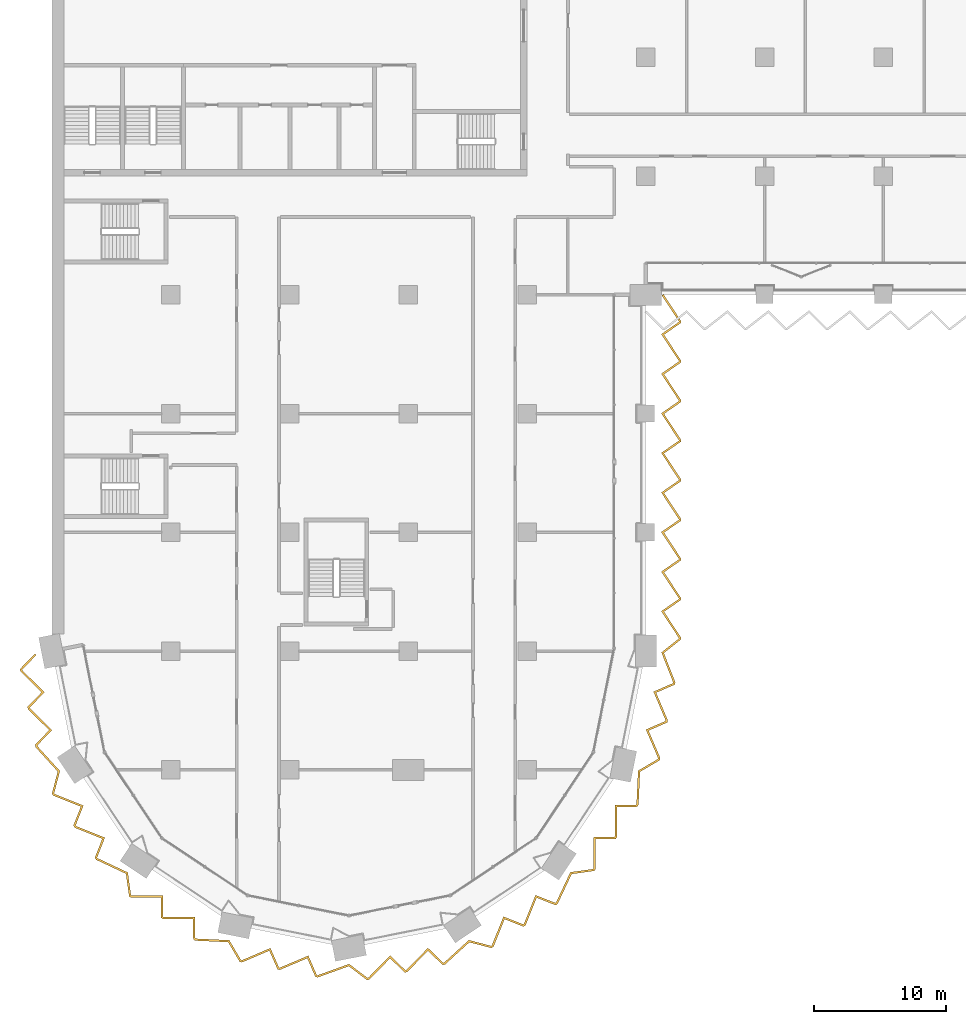
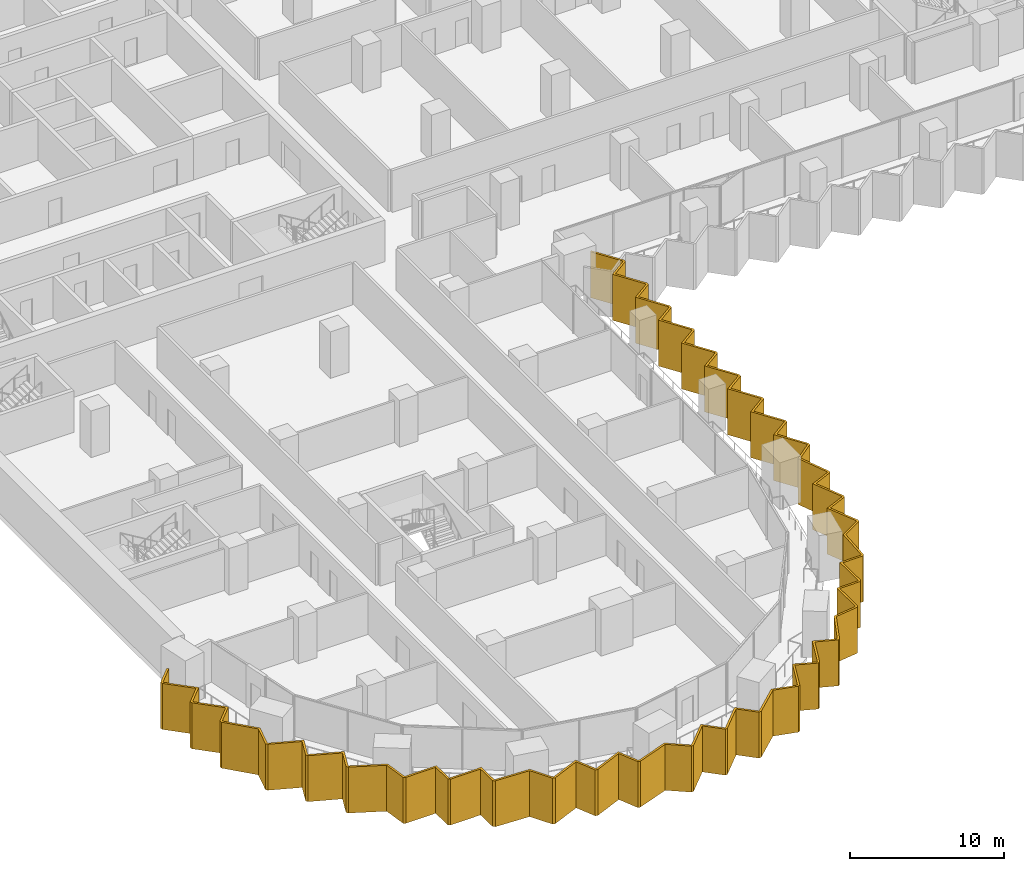
# One storey, part 23 of 28: 1 shading device.
"""IFC4 building model written with IfcOpenShell, lengths in metres."""

from ifc_helpers import new_model, si_unit, direction, frame, origin, place, context, subcontext, project, spatial, polyline, outline, extrude, material, layer, layer_set, type_object, element, save


model = new_model("IFC4")

# Units and contexts
model_context = context("Model", 3, precision=1e-05, world=origin(), true_north=direction((0.0, 1.0)))
body_context = subcontext(model_context, "Body", "Model", "MODEL_VIEW")
ifc_project = project(units=[si_unit("LENGTHUNIT", "METRE"), si_unit("AREAUNIT", "SQUARE_METRE"), si_unit("VOLUMEUNIT", "CUBIC_METRE"), si_unit("PLANEANGLEUNIT", "RADIAN"), si_unit("MASSUNIT", "GRAM", prefix="KILO")], contexts=[model_context])

# Site, building, storey
site_placement = place(None, origin())
site = spatial("IfcSite", under=ifc_project, at=site_placement, CompositionType="ELEMENT")
building_placement = place(site_placement, origin())
building = spatial("IfcBuilding", under=site, at=building_placement, Name="Hunhe Ridgeline Campus", CompositionType="ELEMENT")
storey_placement = place(building_placement, frame((0.0, 0.0, 35.800048828125)))
storey = spatial("IfcBuildingStorey", under=building, at=storey_placement, Name="L07", CompositionType="ELEMENT", Elevation=35.800048828125)

# Shading device
ifc_material = material(Name="Concrete C50", Category="concrete")
ifc_layer = layer(ifc_material, 0.14990234375)
ifc_layer_set = layer_set([ifc_layer], Name="Sawtooth concrete fin 150 Concrete C50")
shading_device_type = type_object("IfcShadingDeviceType", Name="Sawtooth concrete fin 150 Concrete C50", PredefinedType="USERDEFINED", material=ifc_layer_set)
shading_device_placement = place(storey_placement, frame((0.0, 0.0, -0.949951171875)))
element("IfcShadingDevice", 1, at=shading_device_placement, inside=storey, type_object=shading_device_type, Name="Concrete fin screen 1", ObjectType="FIN", PredefinedType="USERDEFINED", context=body_context, shape_type="SweptSolid", body=[
    extrude(outline(polyline([(-1.196533203125, 26.69921875), (-1.304443359375, 26.80322265625), (-2.4306640625, 25.63623046875), (-2.39501953125, 25.457275390625), (-0.78515625, 23.879638671875), (-1.859619140625, 22.76611328125), (-1.82421875, 22.587158203125), (-0.21435546875, 21.009521484375), (-1.288818359375, 19.89599609375), (-1.253662109375, 19.71923828125), (0.428955078125, 17.87158203125), (-0.0078125, 16.19482421875), (0.09033203125, 16.0478515625), (2.181396484375, 15.206298828125), (1.61474609375, 13.766357421875), (1.716064453125, 13.614501953125), (3.80712890625, 12.773193359375), (3.24072265625, 11.3330078125), (3.340576171875, 11.183349609375), (5.602294921875, 10.120361328125), (5.84033203125, 8.40380859375), (5.987548828125, 8.3056640625), (8.2412109375, 8.328369140625), (8.26904296875, 6.78125), (8.420654296875, 6.679931640625), (10.674560546875, 6.70263671875), (10.7021484375, 5.155517578125), (10.851806640625, 5.055419921875), (13.34814453125, 4.938720703125), (14.224853515625, 3.444091796875), (14.3984375, 3.40966796875), (16.471923828125, 4.293212890625), (17.089599609375, 2.874267578125), (17.2685546875, 2.838623046875), (19.342041015625, 3.72216796875), (19.959716796875, 2.303466796875), (20.136474609375, 2.268310546875), (22.4873046875, 3.11572265625), (23.869384765625, 2.070556640625), (24.042724609375, 2.10498046875), (25.620361328125, 3.71484375), (26.73388671875, 2.640380859375), (26.912841796875, 2.67578125), (28.490478515625, 4.28564453125), (29.60400390625, 3.211181640625), (29.78076171875, 3.246337890625), (31.62841796875, 4.928955078125), (33.30517578125, 4.4921875), (33.4521484375, 4.59033203125), (34.293701171875, 6.681396484375), (35.733642578125, 6.11474609375), (35.885498046875, 6.216064453125), (36.726806640625, 8.30712890625), (38.1669921875, 7.74072265625), (38.316650390625, 7.840576171875), (39.379638671875, 10.102294921875), (41.09619140625, 10.34033203125), (41.1943359375, 10.487548828125), (41.171630859375, 12.7412109375), (42.71875, 12.76904296875), (42.820068359375, 12.920654296875), (42.79736328125, 15.174560546875), (44.344482421875, 15.2021484375), (44.444580078125, 15.351806640625), (44.561279296875, 17.84814453125), (46.055908203125, 18.724853515625), (46.09033203125, 18.8984375), (45.206787109375, 20.971923828125), (46.625732421875, 21.589599609375), (46.661376953125, 21.7685546875), (45.77783203125, 23.842041015625), (47.196533203125, 24.459716796875), (47.23193359375, 24.637451171875), (46.364990234375, 26.85009765625), (47.64990234375, 27.866455078125), (47.64990234375, 28.045166015625), (46.3779296875, 29.97998046875), (47.64990234375, 30.863525390625), (47.64990234375, 31.045166015625), (46.3779296875, 32.97998046875), (47.64990234375, 33.863525390625), (47.64990234375, 34.045166015625), (46.3779296875, 35.97998046875), (47.64990234375, 36.863525390625), (47.64990234375, 37.045166015625), (46.3779296875, 38.97998046875), (47.64990234375, 39.863525390625), (47.64990234375, 40.045166015625), (46.3779296875, 41.97998046875), (47.64990234375, 42.863525390625), (47.64990234375, 43.045166015625), (46.3779296875, 44.97998046875), (47.64990234375, 45.863525390625), (47.64990234375, 46.045166015625), (46.3779296875, 47.97998046875), (47.64990234375, 48.863525390625), (47.64990234375, 49.045166015625), (46.3779296875, 50.97998046875), (47.64990234375, 51.863525390625), (47.64990234375, 52.045166015625), (46.337646484375, 54.041259765625), (46.21240234375, 53.958740234375), (47.5, 52.000244140625), (47.5, 51.94189453125), (46.172119140625, 51.02001953125), (47.5, 49.000244140625), (47.5, 48.94189453125), (46.172119140625, 48.02001953125), (47.5, 46.000244140625), (47.5, 45.94189453125), (46.172119140625, 45.02001953125), (47.5, 43.000244140625), (47.5, 42.94189453125), (46.172119140625, 42.02001953125), (47.5, 40.000244140625), (47.5, 39.94189453125), (46.172119140625, 39.02001953125), (47.5, 37.000244140625), (47.5, 36.94189453125), (46.172119140625, 36.02001953125), (47.5, 34.000244140625), (47.5, 33.94189453125), (46.172119140625, 33.02001953125), (47.5, 31.000244140625), (47.5, 30.94189453125), (46.172119140625, 30.02001953125), (47.5, 28.000244140625), (47.5, 27.93896484375), (46.184814453125, 26.898681640625), (47.076171875, 24.62353515625), (47.064697265625, 24.56591796875), (45.58154296875, 23.920166015625), (46.505126953125, 21.75244140625), (46.493896484375, 21.69580078125), (45.010498046875, 21.050048828125), (45.934326171875, 18.88232421875), (45.921875, 18.8203125), (44.415283203125, 17.936279296875), (44.296875, 15.400634765625), (44.263427734375, 15.3505859375), (42.645751953125, 15.32177734375), (42.669677734375, 12.96533203125), (42.6376953125, 12.91748046875), (41.02001953125, 12.888671875), (41.0439453125, 10.5322265625), (41.0087890625, 10.479736328125), (39.278564453125, 10.239501953125), (38.19873046875, 7.942138671875), (38.14892578125, 7.908935546875), (36.643310546875, 8.501220703125), (35.763427734375, 6.315185546875), (35.715576171875, 6.283203125), (34.210205078125, 6.87548828125), (33.330322265625, 4.689453125), (33.27783203125, 4.654296875), (31.58740234375, 5.094482421875), (29.71044921875, 3.38525390625), (29.65185546875, 3.37353515625), (28.487548828125, 4.4970703125), (26.838134765625, 2.81396484375), (26.78173828125, 2.802734375), (25.617431640625, 3.926025390625), (23.968017578125, 2.242919921875), (23.906005859375, 2.230712890625), (22.5126953125, 3.284423828125), (20.124755859375, 2.423583984375), (20.06591796875, 2.435302734375), (19.420166015625, 3.91845703125), (17.25244140625, 2.994873046875), (17.19580078125, 3.006103515625), (16.550048828125, 4.489501953125), (14.38232421875, 3.565673828125), (14.3203125, 3.578125), (13.436279296875, 5.084716796875), (10.900634765625, 5.203125), (10.8505859375, 5.236572265625), (10.82177734375, 6.854248046875), (8.46533203125, 6.830322265625), (8.41748046875, 6.8623046875), (8.388671875, 8.47998046875), (6.0322265625, 8.4560546875), (5.979736328125, 8.4912109375), (5.739501953125, 10.221435546875), (3.442138671875, 11.30126953125), (3.408935546875, 11.35107421875), (4.001220703125, 12.856689453125), (1.815185546875, 13.736572265625), (1.783203125, 13.784423828125), (2.37548828125, 15.289794921875), (0.189453125, 16.169677734375), (0.154296875, 16.22216796875), (0.594482421875, 17.91259765625), (-1.11474609375, 19.78955078125), (-1.12646484375, 19.84814453125), (-0.0029296875, 21.012451171875), (-1.68603515625, 22.661865234375), (-1.697265625, 22.71826171875), (-0.573974609375, 23.882568359375), (-2.257080078125, 25.531982421875), (-2.268310546875, 25.58837890625), (-1.196533203125, 26.69921875)])), origin(), (0.0, 0.0, 1.0), 3.64990234375),
])

save(model, "model.ifc")
